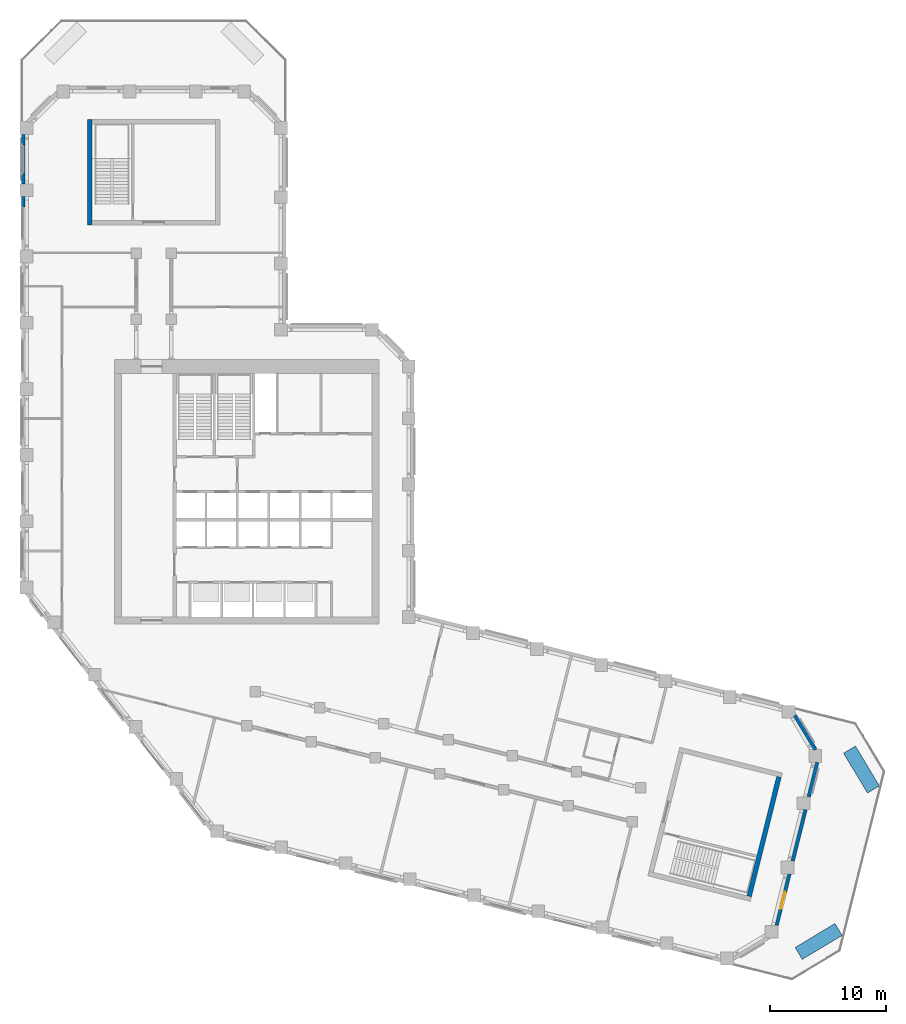
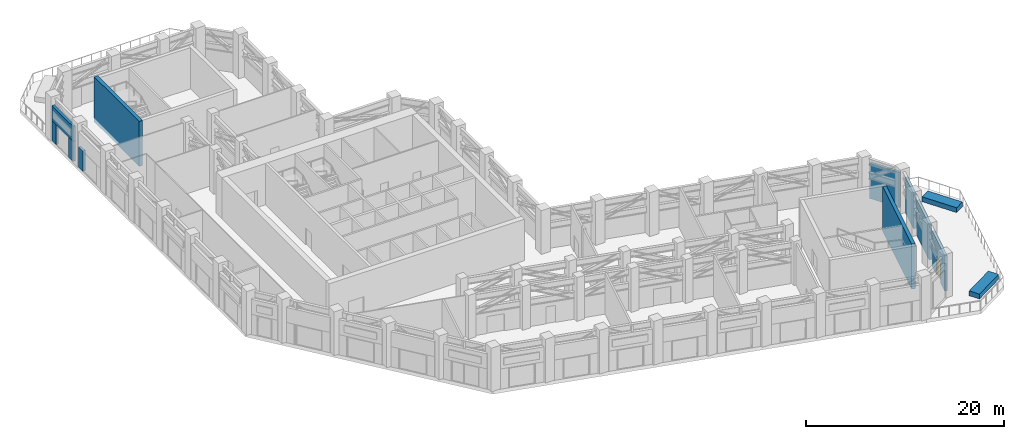
# One storey, part 16 of 21: 12 walls, 1 door, 1 opening.
"""IFC4 building model written with IfcOpenShell, lengths in metres."""

from ifc_helpers import new_model, si_unit, direction, frame, frame_2d, origin, place, context, subcontext, project, spatial, rectangle, extrude, material, layer, layer_set, type_object, element, fill, save


model = new_model("IFC4")

# Units and contexts
model_context = context("Model", 3, precision=1e-05, world=origin(), true_north=direction((0.0, 1.0)))
body_context = subcontext(model_context, "Body", "Model", "MODEL_VIEW")
ifc_project = project(units=[si_unit("LENGTHUNIT", "METRE"), si_unit("AREAUNIT", "SQUARE_METRE"), si_unit("VOLUMEUNIT", "CUBIC_METRE"), si_unit("PLANEANGLEUNIT", "RADIAN"), si_unit("MASSUNIT", "GRAM", prefix="KILO")], contexts=[model_context])

# Site, building, storey
site_placement = place(None, origin())
site = spatial("IfcSite", under=ifc_project, at=site_placement, CompositionType="ELEMENT")
building_placement = place(site_placement, origin())
building = spatial("IfcBuilding", under=site, at=building_placement, Name="Meshkara Civic Tower", CompositionType="ELEMENT")
storey_placement = place(building_placement, frame((0.0, 0.0, 284.39990234375)))
storey = spatial("IfcBuildingStorey", under=building, at=storey_placement, Name="L65", CompositionType="ELEMENT", Elevation=284.39990234375)

# Wall
ifc_material_1 = material(Name="Insulated infill panel with bronze anodised aluminium cladding", Category="aluminium")
ifc_layer_1 = layer(ifc_material_1, 0.300048828125)
ifc_layer_set_1 = layer_set([ifc_layer_1], Name="EXTERNAL INFILL WALL 300")
wall_type_1 = type_object("IfcWallType", Name="EXTERNAL INFILL WALL 300", PredefinedType="SOLIDWALL", material=ifc_layer_set_1)
wall_1_placement = place(storey_placement, frame((0.14990234375, 56.263916015625, 2.5), z_axis=(0.0, 0.0, 1.0), x_axis=(0.0, -1.0, 0.0)))
element("IfcWall", 1, at=wall_1_placement, inside=storey, type_object=wall_type_1, Name="External wall", PredefinedType="SOLIDWALL", context=body_context, shape_type="SweptSolid", body=[
    extrude(rectangle(XDim=4.259033203125, YDim=0.300048828125, at=frame_2d((2.12939453125, 0.0))), origin(), (0.0, 0.0, 1.0), 1.85009765625),
])

# Wall, opening, door
wall_2_placement = place(storey_placement, frame((65.0380859375, -11.8369140625, 0.0), z_axis=(0.0, 0.0, 1.0), x_axis=(0.241969514339, 0.97028385235, 0.0)))
wall_2 = element("IfcWall", 2, at=wall_2_placement, inside=storey, type_object=wall_type_1, Name="External wall", PredefinedType="SOLIDWALL", context=body_context, shape_type="SweptSolid", body=[
    extrude(rectangle(XDim=4.566650390625, YDim=0.300048828125, at=frame_2d((2.283203125, 0.0))), origin(), (0.0, 0.0, 1.0), 4.35009765625),
])
opening_placement = place(wall_2_placement, frame((1.4580078125, 0.0, 0.0)))
opening = element("IfcOpeningElement", 3, at=opening_placement, cuts=wall_2, Name="Opening L65-L003", PredefinedType="OPENING", context=body_context, shape_type="SweptSolid", body=[
    extrude(rectangle(XDim=1.5, YDim=2.39990234375, at=frame_2d((0.75, 1.199951171875))), frame((0.0, 0.159912109375, 0.0), z_axis=(0.0, -1.0, 0.0), x_axis=(1.0, 0.0, 0.0)), (0.0, 0.0, 1.0), 0.320068359375),
])
ifc_material_2 = material(Name="Bronze anodised aluminium", Category="aluminium")
door_type = type_object("IfcDoorType", Name="TERRACE DOOR 1500x2400", OperationType="DOUBLE_DOOR_SINGLE_SWING", PredefinedType="DOOR", material=ifc_material_2)
door_placement = place(opening_placement, origin())
door = element("IfcDoor", 4, at=door_placement, inside=storey, type_object=door_type, Name="L65-L003", OperationType="DOUBLE_DOOR_SINGLE_SWING", OverallHeight=2.39990234375, OverallWidth=1.5, PredefinedType="DOOR", context=body_context, shape_type="SweptSolid", body=[
    extrude(rectangle(XDim=1.5, YDim=2.39990234375, at=frame_2d((0.75, 1.199951171875))), frame((0.0, 0.02490234375, 0.0), z_axis=(0.0, -1.0, 0.0), x_axis=(1.0, 0.0, 0.0)), (0.0, 0.0, 1.0), 0.050048828125),
])
fill(opening, door)

# Walls
wall_3_placement = place(storey_placement, frame((66.4169921875, -6.305908203125, 0.0), z_axis=(0.0, 0.0, 1.0), x_axis=(0.241818351587, 0.97032153683, 0.0)))
element("IfcWall", 5, at=wall_3_placement, inside=storey, type_object=wall_type_1, Name="External wall", PredefinedType="SOLIDWALL", context=body_context, shape_type="SweptSolid", body=[
    extrude(rectangle(XDim=4.5654296875, YDim=0.300048828125, at=frame_2d((2.28271484375, 0.0))), origin(), (0.0, 0.0, 1.0), 4.35009765625),
])
wall_4_placement = place(storey_placement, frame((67.7958984375, -0.77587890625, 0.0), z_axis=(0.0, 0.0, 1.0), x_axis=(0.241782788968, 0.970330398864, 0.0)))
element("IfcWall", 6, at=wall_4_placement, inside=storey, type_object=wall_type_1, Name="External wall", PredefinedType="SOLIDWALL", context=body_context, shape_type="SweptSolid", body=[
    extrude(rectangle(XDim=3.052490234375, YDim=0.300048828125, at=frame_2d((1.5263671875, 0.0))), origin(), (0.0, 0.0, 1.0), 4.35009765625),
])
wall_5_placement = place(storey_placement, frame((68.382080078125, 3.285888671875, 0.0), z_axis=(0.0, 0.0, 1.0), x_axis=(-0.515049658208, 0.857160340648, 0.0)))
element("IfcWall", 7, at=wall_5_placement, inside=storey, type_object=wall_type_1, Name="External wall", PredefinedType="SOLIDWALL", context=body_context, shape_type="SweptSolid", body=[
    extrude(rectangle(XDim=3.434814453125, YDim=0.300048828125, at=frame_2d((1.71728515625, 0.0))), origin(), (0.0, 0.0, 1.0), 4.35009765625),
])
ifc_material_3 = material(Name="Concrete C60", Category="concrete")
ifc_layer_2 = layer(ifc_material_3, 0.39990234375)
ifc_layer_set_2 = layer_set([ifc_layer_2], Name="End core ring wall 400 C60")
wall_type_2 = type_object("IfcWallType", Name="End core ring wall 400 C60", PredefinedType="SHEAR", material=ifc_layer_set_2)
wall_6_placement = place(storey_placement, frame((5.89990234375, 48.469970703125, -0.449951171875), z_axis=(0.0, 0.0, 1.0), x_axis=(0.0, 1.0, 0.0)))
element("IfcWall", 8, at=wall_6_placement, inside=storey, type_object=wall_type_2, Name="L65-C027", PredefinedType="SHEAR", context=body_context, shape_type="SweptSolid", body=[
    extrude(rectangle(XDim=9.10009765625, YDim=0.39990234375, at=frame_2d((4.550048828125, 0.0))), origin(), (0.0, 0.0, 1.0), 5.550048828125),
])
wall_7_placement = place(storey_placement, frame((62.672119140625, -9.339111328125, -0.449951171875), z_axis=(0.0, 0.0, 1.0), x_axis=(0.241971982666, 0.970283236795, 0.0)))
element("IfcWall", 9, at=wall_7_placement, inside=storey, type_object=wall_type_2, Name="L65-C035", PredefinedType="SHEAR", context=body_context, shape_type="SweptSolid", body=[
    extrude(rectangle(XDim=10.60009765625, YDim=0.39990234375, at=frame_2d((5.300048828125, 0.0))), origin(), (0.0, 0.0, 1.0), 5.550048828125),
])
ifc_material_4 = material(Name="Concrete C40", Category="concrete")
ifc_layer_3 = layer(ifc_material_4, 1.199951171875)
ifc_layer_set_3 = layer_set([ifc_layer_3], Name="PLANTING BED")
wall_type_3 = type_object("IfcWallType", Name="PLANTING BED", PredefinedType="SOLIDWALL", material=ifc_layer_set_3)
wall_8_placement = place(storey_placement, frame((71.30908203125, 3.2890625, 0.0), z_axis=(0.0, 0.0, 1.0), x_axis=(0.515276459823, -0.857024019472, 0.0)))
element("IfcWall", 10, at=wall_8_placement, inside=storey, type_object=wall_type_3, Name="Planting bed", PredefinedType="SOLIDWALL", context=body_context, shape_type="SweptSolid", body=[
    extrude(rectangle(XDim=3.999755859375, YDim=1.199951171875, at=frame_2d((2.0, 0.0))), origin(), (0.0, 0.0, 1.0), 0.60009765625),
])
wall_9_placement = place(storey_placement, frame((70.364013671875, -12.197998046875, 0.0), z_axis=(0.0, 0.0, 1.0), x_axis=(-0.857131831517, -0.515097100943, 0.0)))
element("IfcWall", 11, at=wall_9_placement, inside=storey, type_object=wall_type_3, Name="Planting bed", PredefinedType="SOLIDWALL", context=body_context, shape_type="SweptSolid", body=[
    extrude(rectangle(XDim=3.999267578125, YDim=1.199951171875, at=frame_2d((1.99951171875, 0.0))), origin(), (0.0, 0.0, 1.0), 0.60009765625),
])
ifc_material_5 = material(Name="Concrete C50", Category="concrete")
ifc_layer_4 = layer(ifc_material_5, 0.300048828125)
ifc_layer_set_4 = layer_set([ifc_layer_4], Name="SKY LOBBY PIER 300")
wall_type_4 = type_object("IfcWallType", Name="SKY LOBBY PIER 300", PredefinedType="SOLIDWALL", material=ifc_layer_set_4)
wall_10_placement = place(storey_placement, frame((0.14990234375, 56.263916015625, 0.0), z_axis=(0.0, 0.0, 1.0), x_axis=(0.0, -1.0, 0.0)))
element("IfcWall", 12, at=wall_10_placement, inside=storey, type_object=wall_type_4, Name="Sky lobby pier", PredefinedType="SOLIDWALL", context=body_context, shape_type="SweptSolid", body=[
    extrude(rectangle(XDim=0.851806640625, YDim=0.300048828125, at=frame_2d((0.42578125, 0.0))), origin(), (0.0, 0.0, 1.0), 2.5),
])
wall_11_placement = place(storey_placement, frame((0.14990234375, 52.85693359375, 0.0), z_axis=(0.0, 0.0, 1.0), x_axis=(0.0, -1.0, 0.0)))
element("IfcWall", 13, at=wall_11_placement, inside=storey, type_object=wall_type_4, Name="Sky lobby pier", PredefinedType="SOLIDWALL", context=body_context, shape_type="SweptSolid", body=[
    extrude(rectangle(XDim=0.85205078125, YDim=0.300048828125, at=frame_2d((0.426025390625, 0.0))), origin(), (0.0, 0.0, 1.0), 2.5),
])
wall_12_placement = place(storey_placement, frame((0.14990234375, 50.904052734375, 0.0), z_axis=(0.0, 0.0, 1.0), x_axis=(0.0, -1.0, 0.0)))
element("IfcWall", 14, at=wall_12_placement, inside=storey, type_object=wall_type_4, Name="Sky lobby pier", PredefinedType="SOLIDWALL", context=body_context, shape_type="SweptSolid", body=[
    extrude(rectangle(XDim=0.899169921875, YDim=0.300048828125, at=frame_2d((0.44970703125, 0.0))), origin(), (0.0, 0.0, 1.0), 2.5),
])

save(model, "model.ifc")
